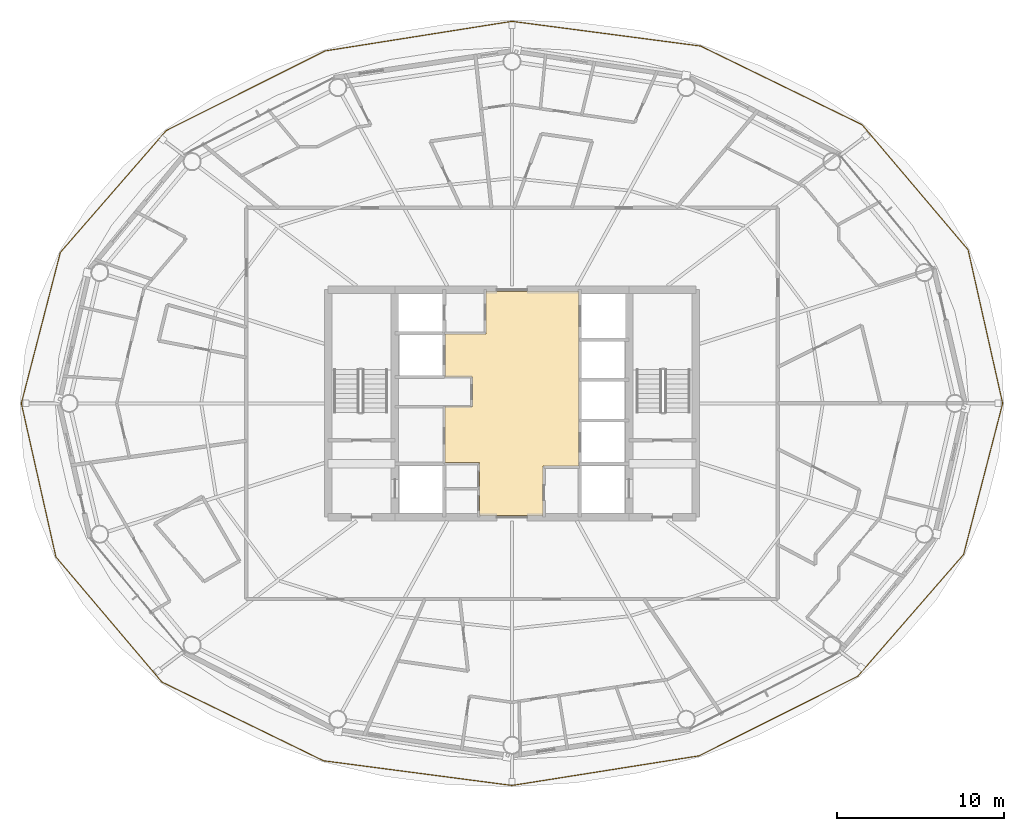
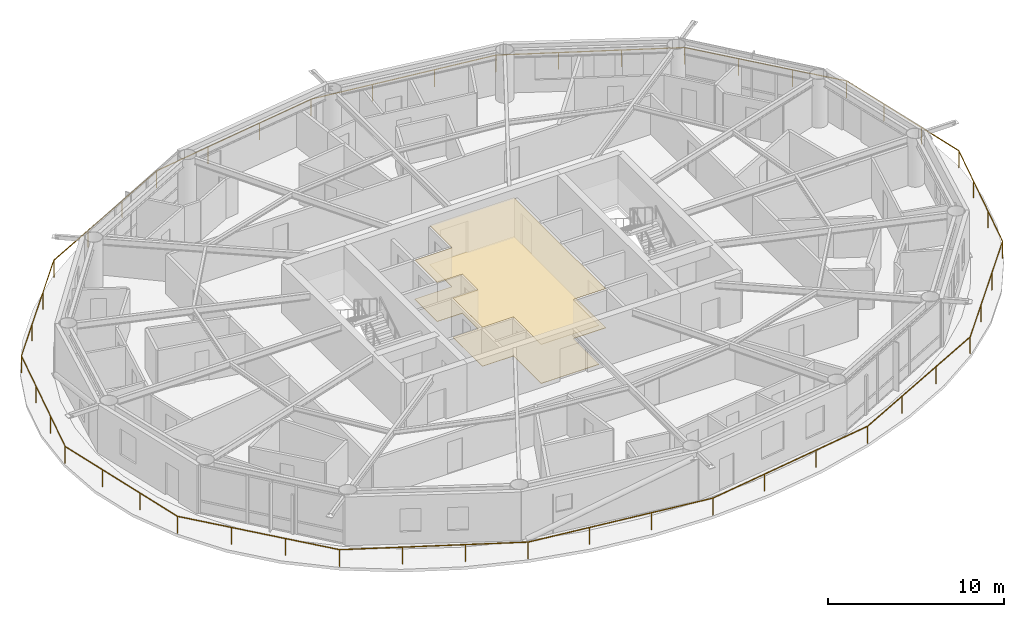
# One storey, part 28 of 29: 2 coverings, 1 railing.
"""IFC4 building model written with IfcOpenShell, lengths in metres."""

from ifc_helpers import new_model, si_unit, direction, frame, origin, origin_2d, place, context, subcontext, project, spatial, polyline, rectangle, outline, extrude, material, layer, layer_set, type_object, element, save


model = new_model("IFC4")

# Units and contexts
model_context = context("Model", 3, precision=1e-05, world=origin(), true_north=direction((0.0, 1.0)))
body_context = subcontext(model_context, "Body", "Model", "MODEL_VIEW")
ifc_project = project(units=[si_unit("LENGTHUNIT", "METRE"), si_unit("AREAUNIT", "SQUARE_METRE"), si_unit("VOLUMEUNIT", "CUBIC_METRE"), si_unit("PLANEANGLEUNIT", "RADIAN"), si_unit("MASSUNIT", "GRAM", prefix="KILO")], contexts=[model_context])

# Site, building, storey
site_placement = place(None, origin())
site = spatial("IfcSite", under=ifc_project, at=site_placement, CompositionType="ELEMENT")
building_placement = place(site_placement, origin())
building = spatial("IfcBuilding", under=site, at=building_placement, Name="Sarneth Arch Tower", CompositionType="ELEMENT")
storey_placement = place(building_placement, frame((0.0, 0.0, 175.800048828125)))
storey = spatial("IfcBuildingStorey", under=building, at=storey_placement, Name="L44", CompositionType="ELEMENT", Elevation=175.800048828125)

# Coverings
ifc_material_1 = material(Name="Perforated acoustic gypsum ceiling board")
ifc_layer_1 = layer(ifc_material_1, 0.02490234375)
ifc_layer_set_1 = layer_set([ifc_layer_1], Name="Perforated acoustic gypsum ceiling board")
covering_type_1 = type_object("IfcCoveringType", Name="COV-CEIL-GYP", PredefinedType="CEILING", material=ifc_layer_set_1)
covering_1_placement = place(storey_placement, frame((0.0, 0.0, 2.7099609375)))
element("IfcCovering", 1, at=covering_1_placement, inside=storey, type_object=covering_type_1, Name="L44 Lift lobby acoustic ceiling", PredefinedType="CEILING", context=body_context, shape_type="SweptSolid", body=[
    extrude(outline(polyline([(49.85009765625, 38.25), (49.85009765625, 35.300048828125), (46.050048828125, 35.300048828125), (46.050048828125, 38.449951171875), (44.0, 38.449951171875), (44.0, 41.800048828125), (45.64990234375, 41.800048828125), (45.64990234375, 43.580078125), (44.0, 43.580078125), (44.0, 46.14990234375), (46.449951171875, 46.14990234375), (46.449951171875, 48.699951171875), (52.0, 48.699951171875), (52.0, 38.25), (49.85009765625, 38.25)])), origin(), (0.0, 0.0, 1.0), 0.030029296875),
])
ifc_material_2 = material(Name="Honed granite stone flooring", Category="masonry")
ifc_layer_2 = layer(ifc_material_2, 0.030029296875)
ifc_layer_set_2 = layer_set([ifc_layer_2], Name="Honed granite stone flooring")
covering_type_2 = type_object("IfcCoveringType", Name="COV-FLR-STONE", PredefinedType="FLOORING", material=ifc_layer_set_2)
covering_2_placement = place(storey_placement, origin())
element("IfcCovering", 2, at=covering_2_placement, inside=storey, type_object=covering_type_2, Name="L44 Lift lobby granite flooring", PredefinedType="FLOORING", context=body_context, shape_type="SweptSolid", body=[
    extrude(outline(polyline([(49.85009765625, 38.25), (49.85009765625, 35.300048828125), (46.050048828125, 35.300048828125), (46.050048828125, 38.449951171875), (44.0, 38.449951171875), (44.0, 41.800048828125), (45.64990234375, 41.800048828125), (45.64990234375, 43.580078125), (44.0, 43.580078125), (44.0, 46.14990234375), (46.449951171875, 46.14990234375), (46.449951171875, 48.699951171875), (52.0, 48.699951171875), (52.0, 38.25), (49.85009765625, 38.25)])), origin(), (0.0, 0.0, 1.0), 0.030029296875),
])

# Railing
ifc_material_3 = material(Name="Laminated structural glass infill with Stainless Steel 316 top rail and posts", Category="steel")
railing_type = type_object("IfcRailingType", Name="RAIL-BALC-1200", PredefinedType="BALUSTRADE", material=ifc_material_3)
railing_placement = place(storey_placement, frame((77.349609375, 42.0, 0.0)))
element("IfcRailing", 3, at=railing_placement, inside=storey, type_object=railing_type, Name="L44 Helical balcony glass balustrade", PredefinedType="BALUSTRADE", context=body_context, shape_type="SweptSolid", body=[
    extrude(rectangle(XDim=0.048095703125, YDim=0.048095703125, at=origin_2d()), frame((0.0, 0.0, 1.17578125), z_axis=(-0.219590569878, 0.97559211847, 0.0), x_axis=(-0.97559211847, -0.219590569878, 0.0)), (0.0, 0.0, 1.0), 9.41357421875),
    extrude(rectangle(XDim=0.048095703125, YDim=0.048095703125, at=origin_2d()), frame((-2.067138671875, 9.183837890625, 1.17578125), z_axis=(-0.646405081815, 0.762994410335, 0.0), x_axis=(-0.762994410335, -0.646405081815, 0.0)), (0.0, 0.0, 1.0), 9.810546875),
    extrude(rectangle(XDim=0.048095703125, YDim=0.048095703125, at=origin_2d()), frame((-8.40869140625, 16.669189453125, 1.17578125), z_axis=(-0.899031377162, 0.437884211725, 0.0), x_axis=(-0.437884211725, -0.899031377162, 0.0)), (0.0, 0.0, 1.0), 10.74658203125),
    extrude(rectangle(XDim=0.048095703125, YDim=0.048095703125, at=origin_2d()), frame((-18.0703125, 21.375, 1.17578125), z_axis=(-0.991517874984, 0.129970395041, 0.0), x_axis=(-0.129970395041, -0.991517874984, 0.0)), (0.0, 0.0, 1.0), 11.375732421875),
    extrude(rectangle(XDim=0.048095703125, YDim=0.048095703125, at=origin_2d()), frame((-29.349609375, 22.853515625, 1.17578125), z_axis=(-0.987687175646, -0.156441820065, 0.0), x_axis=(0.156441820065, -0.987687175646, 0.0)), (0.0, 0.0, 1.0), 11.32666015625),
    extrude(rectangle(XDim=0.048095703125, YDim=0.048095703125, at=origin_2d()), frame((-40.536865234375, 21.08154296875, 1.17578125), z_axis=(-0.89390696747, -0.448252533187, 0.0), x_axis=(0.448252533187, -0.89390696747, 0.0)), (0.0, 0.0, 1.0), 10.618408203125),
    extrude(rectangle(XDim=0.048095703125, YDim=0.048095703125, at=origin_2d()), frame((-50.02880859375, 16.32177734375, 1.17578125), z_axis=(-0.656029097076, -0.754735598597, 0.0), x_axis=(0.754735598597, -0.656029097076, 0.0)), (0.0, 0.0, 1.0), 9.65625),
    extrude(rectangle(XDim=0.048095703125, YDim=0.048095703125, at=origin_2d()), frame((-56.363525390625, 9.033935546875, 1.17578125), z_axis=(-0.25031559126, -0.968164296373, 0.0), x_axis=(0.968164296373, -0.25031559126, 0.0)), (0.0, 0.0, 1.0), 9.3310546875),
    extrude(rectangle(XDim=0.048095703125, YDim=0.048095703125, at=origin_2d()), frame((-58.69921875, 0.0, 1.17578125), z_axis=(0.219590569878, -0.97559211847, 0.0), x_axis=(0.97559211847, 0.219590569878, 0.0)), (0.0, 0.0, 1.0), 9.41357421875),
    extrude(rectangle(XDim=0.048095703125, YDim=0.048095703125, at=origin_2d()), frame((-56.632080078125, -9.183837890625, 1.17578125), z_axis=(0.646405081815, -0.762994410335, 0.0), x_axis=(0.762994410335, 0.646405081815, 0.0)), (0.0, 0.0, 1.0), 9.810546875),
    extrude(rectangle(XDim=0.048095703125, YDim=0.048095703125, at=origin_2d()), frame((-50.29052734375, -16.669189453125, 1.17578125), z_axis=(0.899031377162, -0.437884211725, 0.0), x_axis=(0.437884211725, 0.899031377162, 0.0)), (0.0, 0.0, 1.0), 10.74658203125),
    extrude(rectangle(XDim=0.048095703125, YDim=0.048095703125, at=origin_2d()), frame((-40.62890625, -21.375, 1.17578125), z_axis=(0.991517874984, -0.129970395041, 0.0), x_axis=(0.129970395041, 0.991517874984, 0.0)), (0.0, 0.0, 1.0), 11.375732421875),
    extrude(rectangle(XDim=0.048095703125, YDim=0.048095703125, at=origin_2d()), frame((-29.349609375, -22.853515625, 1.17578125), z_axis=(0.987687175646, 0.156441820065, 0.0), x_axis=(-0.156441820065, 0.987687175646, 0.0)), (0.0, 0.0, 1.0), 11.32666015625),
    extrude(rectangle(XDim=0.048095703125, YDim=0.048095703125, at=origin_2d()), frame((-18.162353515625, -21.08154296875, 1.17578125), z_axis=(0.89390696747, 0.448252533187, 0.0), x_axis=(-0.448252533187, 0.89390696747, 0.0)), (0.0, 0.0, 1.0), 10.618408203125),
    extrude(rectangle(XDim=0.048095703125, YDim=0.048095703125, at=origin_2d()), frame((-8.67041015625, -16.32177734375, 1.17578125), z_axis=(0.656029097076, 0.754735598597, 0.0), x_axis=(-0.754735598597, 0.656029097076, 0.0)), (0.0, 0.0, 1.0), 9.65625),
    extrude(rectangle(XDim=0.048095703125, YDim=0.048095703125, at=origin_2d()), frame((-2.335693359375, -9.033935546875, 1.17578125), z_axis=(0.25031559126, 0.968164296373, 0.0), x_axis=(-0.968164296373, 0.25031559126, 0.0)), (0.0, 0.0, 1.0), 9.3310546875),
    extrude(rectangle(XDim=0.0419921875, YDim=0.0419921875, at=origin_2d()), origin(), (0.0, 0.0, 1.0), 1.15185546875),
    extrude(rectangle(XDim=0.0419921875, YDim=0.0419921875, at=origin_2d()), frame((-0.68896484375, 3.061279296875, 0.0)), (0.0, 0.0, 1.0), 1.15185546875),
    extrude(rectangle(XDim=0.0419921875, YDim=0.0419921875, at=origin_2d()), frame((-1.378173828125, 6.12255859375, 0.0)), (0.0, 0.0, 1.0), 1.15185546875),
    extrude(rectangle(XDim=0.0419921875, YDim=0.0419921875, at=origin_2d()), frame((-2.067138671875, 9.183837890625, 0.0)), (0.0, 0.0, 1.0), 1.15185546875),
    extrude(rectangle(XDim=0.0419921875, YDim=0.0419921875, at=origin_2d()), frame((-4.180908203125, 11.678955078125, 0.0)), (0.0, 0.0, 1.0), 1.15185546875),
    extrude(rectangle(XDim=0.0419921875, YDim=0.0419921875, at=origin_2d()), frame((-6.294921875, 14.174072265625, 0.0)), (0.0, 0.0, 1.0), 1.15185546875),
    extrude(rectangle(XDim=0.0419921875, YDim=0.0419921875, at=origin_2d()), frame((-8.40869140625, 16.669189453125, 0.0)), (0.0, 0.0, 1.0), 1.15185546875),
    extrude(rectangle(XDim=0.0419921875, YDim=0.0419921875, at=origin_2d()), frame((-11.629150390625, 18.23779296875, 0.0)), (0.0, 0.0, 1.0), 1.15185546875),
    extrude(rectangle(XDim=0.0419921875, YDim=0.0419921875, at=origin_2d()), frame((-14.849853515625, 19.806396484375, 0.0)), (0.0, 0.0, 1.0), 1.15185546875),
    extrude(rectangle(XDim=0.0419921875, YDim=0.0419921875, at=origin_2d()), frame((-18.0703125, 21.375, 0.0)), (0.0, 0.0, 1.0), 1.15185546875),
    extrude(rectangle(XDim=0.0419921875, YDim=0.0419921875, at=origin_2d()), frame((-21.830078125, 21.867919921875, 0.0)), (0.0, 0.0, 1.0), 1.15185546875),
    extrude(rectangle(XDim=0.0419921875, YDim=0.0419921875, at=origin_2d()), frame((-25.58984375, 22.360595703125, 0.0)), (0.0, 0.0, 1.0), 1.15185546875),
    extrude(rectangle(XDim=0.0419921875, YDim=0.0419921875, at=origin_2d()), frame((-29.349609375, 22.853515625, 0.0)), (0.0, 0.0, 1.0), 1.15185546875),
    extrude(rectangle(XDim=0.0419921875, YDim=0.0419921875, at=origin_2d()), frame((-33.07861328125, 22.262939453125, 0.0)), (0.0, 0.0, 1.0), 1.15185546875),
    extrude(rectangle(XDim=0.0419921875, YDim=0.0419921875, at=origin_2d()), frame((-36.807861328125, 21.672119140625, 0.0)), (0.0, 0.0, 1.0), 1.15185546875),
    extrude(rectangle(XDim=0.0419921875, YDim=0.0419921875, at=origin_2d()), frame((-40.536865234375, 21.08154296875, 0.0)), (0.0, 0.0, 1.0), 1.15185546875),
    extrude(rectangle(XDim=0.0419921875, YDim=0.0419921875, at=origin_2d()), frame((-43.700927734375, 19.494873046875, 0.0)), (0.0, 0.0, 1.0), 1.15185546875),
    extrude(rectangle(XDim=0.0419921875, YDim=0.0419921875, at=origin_2d()), frame((-46.86474609375, 17.908447265625, 0.0)), (0.0, 0.0, 1.0), 1.15185546875),
    extrude(rectangle(XDim=0.0419921875, YDim=0.0419921875, at=origin_2d()), frame((-50.02880859375, 16.32177734375, 0.0)), (0.0, 0.0, 1.0), 1.15185546875),
    extrude(rectangle(XDim=0.0419921875, YDim=0.0419921875, at=origin_2d()), frame((-52.140380859375, 13.892578125, 0.0)), (0.0, 0.0, 1.0), 1.15185546875),
    extrude(rectangle(XDim=0.0419921875, YDim=0.0419921875, at=origin_2d()), frame((-54.251953125, 11.463134765625, 0.0)), (0.0, 0.0, 1.0), 1.15185546875),
    extrude(rectangle(XDim=0.0419921875, YDim=0.0419921875, at=origin_2d()), frame((-56.363525390625, 9.033935546875, 0.0)), (0.0, 0.0, 1.0), 1.15185546875),
    extrude(rectangle(XDim=0.0419921875, YDim=0.0419921875, at=origin_2d()), frame((-57.14208984375, 6.022705078125, 0.0)), (0.0, 0.0, 1.0), 1.15185546875),
    extrude(rectangle(XDim=0.0419921875, YDim=0.0419921875, at=origin_2d()), frame((-57.920654296875, 3.01123046875, 0.0)), (0.0, 0.0, 1.0), 1.15185546875),
    extrude(rectangle(XDim=0.0419921875, YDim=0.0419921875, at=origin_2d()), frame((-58.69921875, 0.0, 0.0)), (0.0, 0.0, 1.0), 1.15185546875),
    extrude(rectangle(XDim=0.0419921875, YDim=0.0419921875, at=origin_2d()), frame((-58.01025390625, -3.061279296875, 0.0)), (0.0, 0.0, 1.0), 1.15185546875),
    extrude(rectangle(XDim=0.0419921875, YDim=0.0419921875, at=origin_2d()), frame((-57.321044921875, -6.12255859375, 0.0)), (0.0, 0.0, 1.0), 1.15185546875),
    extrude(rectangle(XDim=0.0419921875, YDim=0.0419921875, at=origin_2d()), frame((-56.632080078125, -9.183837890625, 0.0)), (0.0, 0.0, 1.0), 1.15185546875),
    extrude(rectangle(XDim=0.0419921875, YDim=0.0419921875, at=origin_2d()), frame((-54.518310546875, -11.678955078125, 0.0)), (0.0, 0.0, 1.0), 1.15185546875),
    extrude(rectangle(XDim=0.0419921875, YDim=0.0419921875, at=origin_2d()), frame((-52.404296875, -14.174072265625, 0.0)), (0.0, 0.0, 1.0), 1.15185546875),
    extrude(rectangle(XDim=0.0419921875, YDim=0.0419921875, at=origin_2d()), frame((-50.29052734375, -16.669189453125, 0.0)), (0.0, 0.0, 1.0), 1.15185546875),
    extrude(rectangle(XDim=0.0419921875, YDim=0.0419921875, at=origin_2d()), frame((-47.070068359375, -18.23779296875, 0.0)), (0.0, 0.0, 1.0), 1.15185546875),
    extrude(rectangle(XDim=0.0419921875, YDim=0.0419921875, at=origin_2d()), frame((-43.849365234375, -19.806396484375, 0.0)), (0.0, 0.0, 1.0), 1.15185546875),
    extrude(rectangle(XDim=0.0419921875, YDim=0.0419921875, at=origin_2d()), frame((-40.62890625, -21.375, 0.0)), (0.0, 0.0, 1.0), 1.15185546875),
    extrude(rectangle(XDim=0.0419921875, YDim=0.0419921875, at=origin_2d()), frame((-36.869140625, -21.867919921875, 0.0)), (0.0, 0.0, 1.0), 1.15185546875),
    extrude(rectangle(XDim=0.0419921875, YDim=0.0419921875, at=origin_2d()), frame((-33.109375, -22.360595703125, 0.0)), (0.0, 0.0, 1.0), 1.15185546875),
    extrude(rectangle(XDim=0.0419921875, YDim=0.0419921875, at=origin_2d()), frame((-29.349609375, -22.853515625, 0.0)), (0.0, 0.0, 1.0), 1.15185546875),
    extrude(rectangle(XDim=0.0419921875, YDim=0.0419921875, at=origin_2d()), frame((-25.62060546875, -22.262939453125, 0.0)), (0.0, 0.0, 1.0), 1.15185546875),
    extrude(rectangle(XDim=0.0419921875, YDim=0.0419921875, at=origin_2d()), frame((-21.891357421875, -21.672119140625, 0.0)), (0.0, 0.0, 1.0), 1.15185546875),
    extrude(rectangle(XDim=0.0419921875, YDim=0.0419921875, at=origin_2d()), frame((-18.162353515625, -21.08154296875, 0.0)), (0.0, 0.0, 1.0), 1.15185546875),
    extrude(rectangle(XDim=0.0419921875, YDim=0.0419921875, at=origin_2d()), frame((-14.998291015625, -19.494873046875, 0.0)), (0.0, 0.0, 1.0), 1.15185546875),
    extrude(rectangle(XDim=0.0419921875, YDim=0.0419921875, at=origin_2d()), frame((-11.83447265625, -17.908447265625, 0.0)), (0.0, 0.0, 1.0), 1.15185546875),
    extrude(rectangle(XDim=0.0419921875, YDim=0.0419921875, at=origin_2d()), frame((-8.67041015625, -16.32177734375, 0.0)), (0.0, 0.0, 1.0), 1.15185546875),
    extrude(rectangle(XDim=0.0419921875, YDim=0.0419921875, at=origin_2d()), frame((-6.558837890625, -13.892578125, 0.0)), (0.0, 0.0, 1.0), 1.15185546875),
    extrude(rectangle(XDim=0.0419921875, YDim=0.0419921875, at=origin_2d()), frame((-4.447265625, -11.463134765625, 0.0)), (0.0, 0.0, 1.0), 1.15185546875),
    extrude(rectangle(XDim=0.0419921875, YDim=0.0419921875, at=origin_2d()), frame((-2.335693359375, -9.033935546875, 0.0)), (0.0, 0.0, 1.0), 1.15185546875),
    extrude(rectangle(XDim=0.0419921875, YDim=0.0419921875, at=origin_2d()), frame((-1.55712890625, -6.022705078125, 0.0)), (0.0, 0.0, 1.0), 1.15185546875),
    extrude(rectangle(XDim=0.0419921875, YDim=0.0419921875, at=origin_2d()), frame((-0.778564453125, -3.01123046875, 0.0)), (0.0, 0.0, 1.0), 1.15185546875),
])

save(model, "model.ifc")
